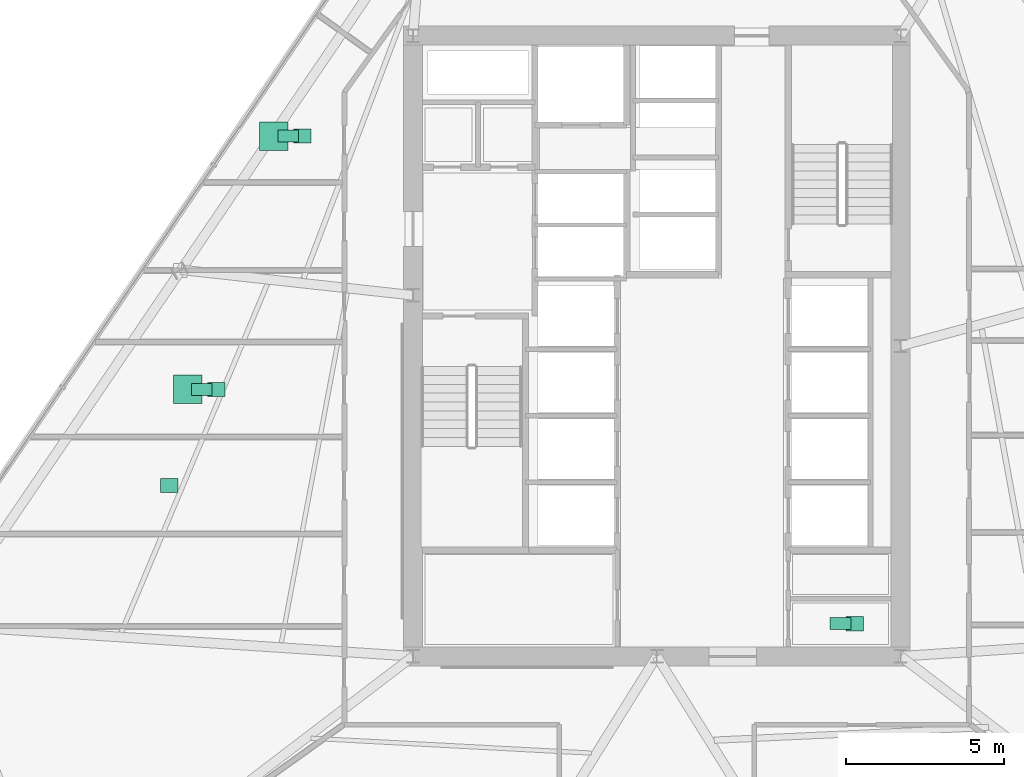
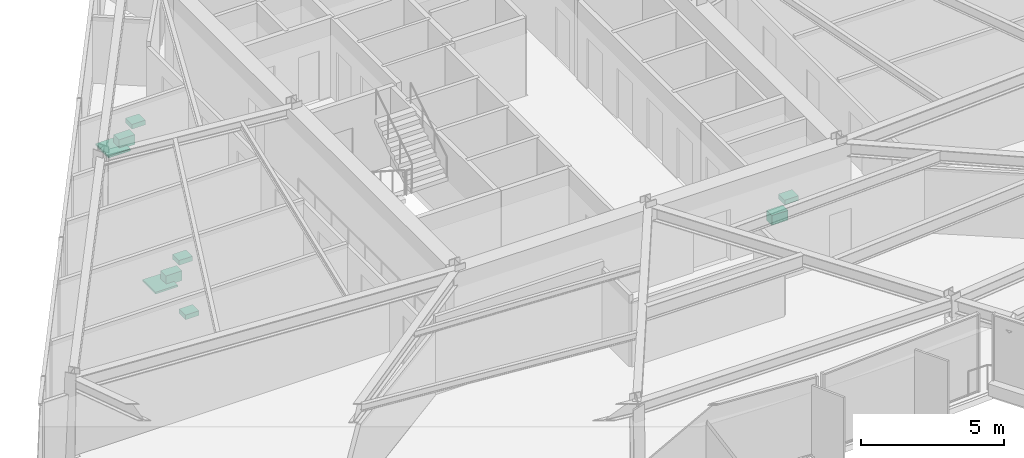
# One storey, part 15 of 15: 9 sanitary terminals.
"""IFC4 building model written with IfcOpenShell, lengths in metres."""

from ifc_helpers import new_model, si_unit, direction, frame, origin, origin_2d, place, context, subcontext, project, spatial, rectangle, extrude, material, type_object, element, save


model = new_model("IFC4")

# Units and contexts
model_context = context("Model", 3, precision=1e-05, world=origin(), true_north=direction((0.0, 1.0)))
body_context = subcontext(model_context, "Body", "Model", "MODEL_VIEW")
ifc_project = project(units=[si_unit("LENGTHUNIT", "METRE"), si_unit("AREAUNIT", "SQUARE_METRE"), si_unit("VOLUMEUNIT", "CUBIC_METRE"), si_unit("PLANEANGLEUNIT", "RADIAN"), si_unit("MASSUNIT", "GRAM", prefix="KILO")], contexts=[model_context])

# Site, building, storey
site_placement = place(None, origin())
site = spatial("IfcSite", under=ifc_project, at=site_placement, CompositionType="ELEMENT")
building_placement = place(site_placement, origin())
building = spatial("IfcBuilding", under=site, at=building_placement, Name="Savorim Split Tower", CompositionType="ELEMENT")
storey_placement = place(building_placement, frame((0.0, 0.0, 93.300048828125)))
storey = spatial("IfcBuildingStorey", under=building, at=storey_placement, Name="L24", CompositionType="ELEMENT", Elevation=93.300048828125)

# Sanitary terminals
ifc_material = material(Name="Vitreous China Sanitaryware")
sanitary_terminal_type_1 = type_object("IfcSanitaryTerminalType", Name="SAN-SHW-900", PredefinedType="SHOWER", material=ifc_material)
for number, where, z_axis, x_axis, name in (
    (1, (-14.816650390625, -0.97021484375, 0.0), (0.0, 0.0, 1.0), (1.0, 0.0, 0.0), "L24 Shared Bathroom Shower"),
    (2, (-12.09521484375, 7.031005859375, 0.0), (0.0, 0.0, 1.0), (1.0, 0.0, 0.0), "L24 Shared Bathroom Shower"),
):
    element("IfcSanitaryTerminal", number, at=place(storey_placement, frame(where, z_axis=z_axis, x_axis=x_axis)), inside=storey, type_object=sanitary_terminal_type_1, Name=name, PredefinedType="SHOWER", context=body_context, shape_type="SweptSolid", body=[
        extrude(rectangle(XDim=0.89990234375, YDim=0.89990234375, at=origin_2d()), origin(), (0.0, 0.0, 1.0), 0.080078125),
    ])
sanitary_terminal_type_2 = type_object("IfcSanitaryTerminalType", Name="SAN-WC-PAN", PredefinedType="TOILETPAN", material=ifc_material)
for number, where, z_axis, x_axis, name in (
    (3, (5.800048828125, -8.3701171875, 0.0), (0.0, 0.0, 1.0), (1.0, 0.0, 0.0), "L24 Accessible WC WC Pan"),
    (4, (-14.36669921875, -0.97021484375, 0.0), (0.0, 0.0, 1.0), (1.0, 0.0, 0.0), "L24 Shared Bathroom WC Pan"),
    (5, (-11.645263671875, 7.031005859375, 0.0), (0.0, 0.0, 1.0), (1.0, 0.0, 0.0), "L24 Shared Bathroom WC Pan"),
):
    element("IfcSanitaryTerminal", number, at=place(storey_placement, frame(where, z_axis=z_axis, x_axis=x_axis)), inside=storey, type_object=sanitary_terminal_type_2, Name=name, PredefinedType="TOILETPAN", context=body_context, shape_type="SweptSolid", body=[
        extrude(rectangle(XDim=0.64990234375, YDim=0.3798828125, at=origin_2d()), origin(), (0.0, 0.0, 1.0), 0.419921875),
    ])
sanitary_terminal_type_3 = type_object("IfcSanitaryTerminalType", Name="SAN-WHB-550", PredefinedType="WASHHANDBASIN", material=ifc_material)
for number, where, z_axis, x_axis, name in (
    (6, (6.25, -8.3701171875, 0.72021484375), (0.0, 0.0, 1.0), (1.0, 0.0, 0.0), "L24 Accessible WC Washhand Basin"),
    (7, (-13.91650390625, -0.97021484375, 0.72021484375), (0.0, 0.0, 1.0), (1.0, 0.0, 0.0), "L24 Shared Bathroom Washhand Basin"),
    (8, (-15.397705078125, -4.00146484375, 0.75), (0.0, 0.0, 1.0), (1.0, 0.0, 0.0), "L24 Shared Kitchen Utility Sink"),
    (9, (-11.1953125, 7.031005859375, 0.72021484375), (0.0, 0.0, 1.0), (1.0, 0.0, 0.0), "L24 Shared Bathroom Washhand Basin"),
):
    element("IfcSanitaryTerminal", number, at=place(storey_placement, frame(where, z_axis=z_axis, x_axis=x_axis)), inside=storey, type_object=sanitary_terminal_type_3, Name=name, PredefinedType="WASHHANDBASIN", context=body_context, shape_type="SweptSolid", body=[
        extrude(rectangle(XDim=0.550048828125, YDim=0.449951171875, at=origin_2d()), origin(), (0.0, 0.0, 1.0), 0.199951171875),
    ])

save(model, "model.ifc")
